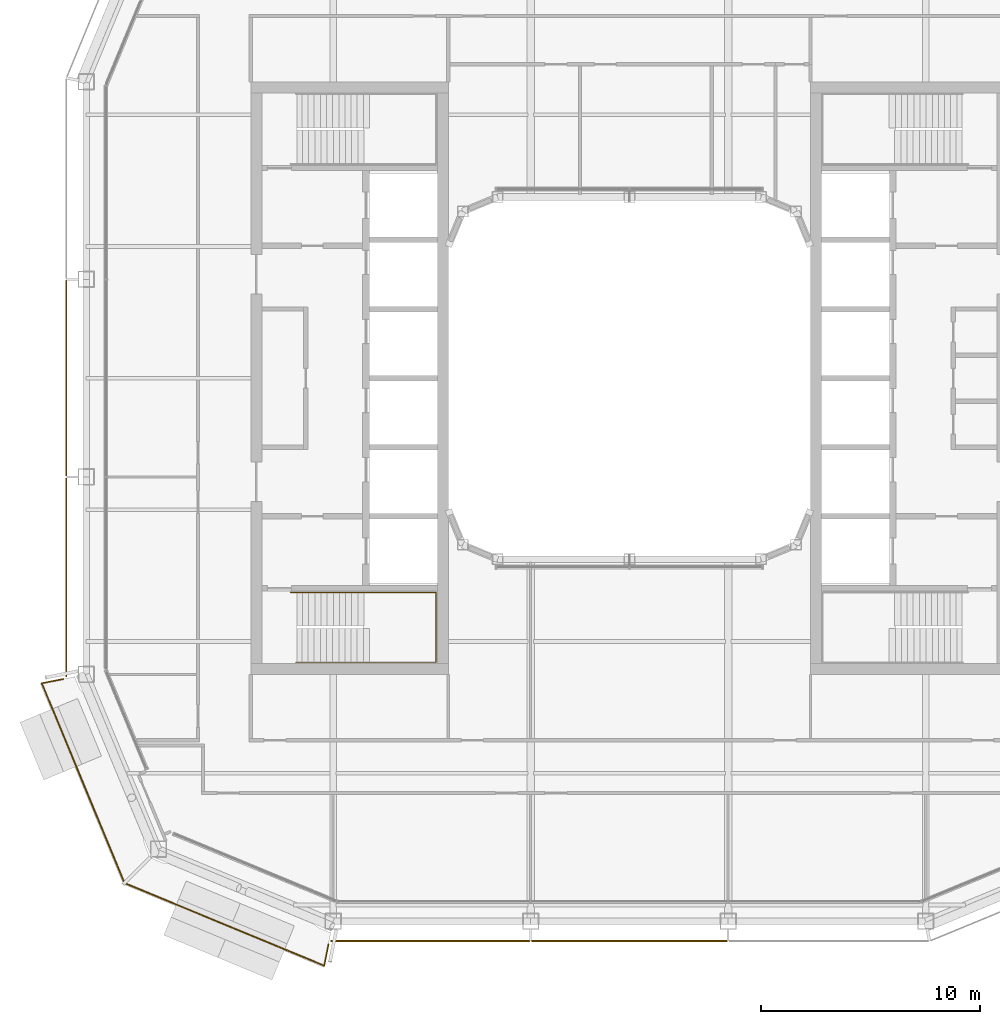
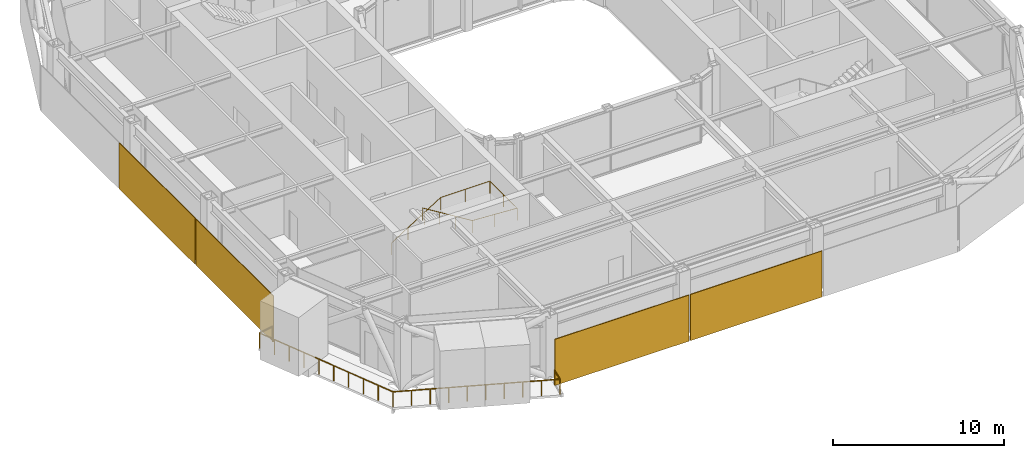
# One storey, part 16 of 20: 4 coverings, 2 railings.
"""IFC4 building model written with IfcOpenShell, lengths in metres."""

from ifc_helpers import new_model, si_unit, direction, frame, origin, origin_2d, place, context, subcontext, project, spatial, rectangle, circle, extrude, material, layer, layer_set, type_object, element, save


model = new_model("IFC4")

# Units and contexts
model_context = context("Model", 3, precision=1e-05, world=origin(), true_north=direction((0.0, 1.0)))
body_context = subcontext(model_context, "Body", "Model", "MODEL_VIEW")
ifc_project = project(units=[si_unit("LENGTHUNIT", "METRE"), si_unit("AREAUNIT", "SQUARE_METRE"), si_unit("VOLUMEUNIT", "CUBIC_METRE"), si_unit("PLANEANGLEUNIT", "RADIAN"), si_unit("MASSUNIT", "GRAM", prefix="KILO")], contexts=[model_context])

# Site, building, storey
site_placement = place(None, origin())
site = spatial("IfcSite", under=ifc_project, at=site_placement, CompositionType="ELEMENT")
building_placement = place(site_placement, origin())
building = spatial("IfcBuilding", under=site, at=building_placement, Name="Siwar Civic Tower", CompositionType="ELEMENT")
storey_placement = place(building_placement, frame((0.0, 0.0, 316.699951171875)))
storey = spatial("IfcBuildingStorey", under=building, at=storey_placement, Name="L68", CompositionType="ELEMENT", Elevation=316.699951171875)

# Railings
ifc_material_1 = material(Name="Stainless steel", Category="steel")
railing_type_1 = type_object("IfcRailingType", Name="CORE-STAIR-HANDRAIL", PredefinedType="HANDRAIL", material=ifc_material_1)
railing_1_placement = place(storey_placement, frame((-15.449951171875, -9.758056640625, 0.173095703125)))
element("IfcRailing", 1, at=railing_1_placement, inside=storey, type_object=railing_type_1, Name="Stair handrail ST2", PredefinedType="HANDRAIL", context=body_context, shape_type="SweptSolid", body=[
    extrude(circle(Radius=0.02001953125, at=origin_2d()), frame((0.0, 0.0, 0.8798828125), z_axis=(0.847063342986, 0.0, 0.531491950051), x_axis=(0.0, 1.0, 0.0)), (0.0, 0.0, 1.0), 3.90771484375),
    extrude(circle(Radius=0.02001953125, at=origin_2d()), frame((3.31005859375, 0.0, 2.956787109375), z_axis=(1.0, 0.0, 0.0), x_axis=(0.0, 1.0, 0.0)), (0.0, 0.0, 1.0), 3.331787109375),
    extrude(circle(Radius=0.02001953125, at=origin_2d()), frame((6.641845703125, 0.0, 2.956787109375), z_axis=(0.0, -1.0, 0.0), x_axis=(1.0, 0.0, 0.0)), (0.0, 0.0, 1.0), 3.183837890625),
    extrude(circle(Radius=0.02001953125, at=origin_2d()), frame((6.641845703125, -3.183837890625, 2.956787109375), z_axis=(-0.99837434197, 0.0, 0.056997134106), x_axis=(0.0, -1.0, 0.0)), (0.0, 0.0, 1.0), 3.036865234375),
    extrude(circle(Radius=0.02001953125, at=origin_2d()), frame((3.60986328125, -3.183837890625, 3.1298828125), z_axis=(-0.850606129759, 0.0, 0.525803396734), x_axis=(0.0, -1.0, 0.0)), (0.0, 0.0, 1.0), 3.949951171875),
    extrude(circle(Radius=0.02001953125, at=origin_2d()), origin(), (0.0, 0.0, 1.0), 0.85986328125),
    extrude(circle(Radius=0.02001953125, at=origin_2d()), frame((1.103271484375, 0.0, 0.6923828125)), (0.0, 0.0, 1.0), 0.85986328125),
    extrude(circle(Radius=0.02001953125, at=origin_2d()), frame((2.206787109375, 0.0, 1.384521484375)), (0.0, 0.0, 1.0), 0.85986328125),
    extrude(circle(Radius=0.02001953125, at=origin_2d()), frame((3.31005859375, 0.0, 2.076904296875)), (0.0, 0.0, 1.0), 0.85986328125),
    extrude(circle(Radius=0.02001953125, at=origin_2d()), frame((4.97607421875, 0.0, 2.076904296875)), (0.0, 0.0, 1.0), 0.85986328125),
    extrude(circle(Radius=0.02001953125, at=origin_2d()), frame((6.641845703125, 0.0, 2.076904296875)), (0.0, 0.0, 1.0), 0.85986328125),
    extrude(circle(Radius=0.02001953125, at=origin_2d()), frame((6.641845703125, -1.591796875, 2.076904296875)), (0.0, 0.0, 1.0), 0.85986328125),
    extrude(circle(Radius=0.02001953125, at=origin_2d()), frame((6.641845703125, -3.183837890625, 2.076904296875)), (0.0, 0.0, 1.0), 0.85986328125),
    extrude(circle(Radius=0.02001953125, at=origin_2d()), frame((5.1259765625, -3.183837890625, 2.16357421875)), (0.0, 0.0, 1.0), 0.85986328125),
    extrude(circle(Radius=0.02001953125, at=origin_2d()), frame((3.60986328125, -3.183837890625, 2.25)), (0.0, 0.0, 1.0), 0.85986328125),
    extrude(circle(Radius=0.02001953125, at=origin_2d()), frame((2.489990234375, -3.183837890625, 2.9423828125)), (0.0, 0.0, 1.0), 0.85986328125),
    extrude(circle(Radius=0.02001953125, at=origin_2d()), frame((1.369873046875, -3.183837890625, 3.634521484375)), (0.0, 0.0, 1.0), 0.85986328125),
    extrude(circle(Radius=0.02001953125, at=origin_2d()), frame((0.25, -3.183837890625, 4.326904296875)), (0.0, 0.0, 1.0), 0.85986328125),
])
ifc_material_2 = material(Name="Stainless steel 316", Category="steel")
railing_type_2 = type_object("IfcRailingType", Name="ENV-GUARD", PredefinedType="GUARDRAIL", material=ifc_material_2)
railing_2_placement = place(storey_placement, frame((-25.797119140625, -13.708251953125, 0.0)))
element("IfcRailing", 2, at=railing_2_placement, inside=storey, type_object=railing_type_2, Name="Balcony guard SW", PredefinedType="GUARDRAIL", context=body_context, shape_type="SweptSolid", body=[
    extrude(circle(Radius=0.02392578125, at=origin_2d()), frame((0.0, 0.0, 1.076171875), z_axis=(-0.980778661911, -0.195123592472, 0.0), x_axis=(0.195123592472, -0.980778661911, 0.0)), (0.0, 0.0, 1.0), 0.993408203125),
    extrude(circle(Radius=0.02392578125, at=origin_2d()), frame((-0.974365234375, -0.19384765625, 1.076171875), z_axis=(0.38225621169, -0.924056377406, 0.0), x_axis=(0.924056377406, 0.38225621169, 0.0)), (0.0, 0.0, 1.0), 9.851806640625),
    extrude(circle(Radius=0.02392578125, at=origin_2d()), frame((2.79150390625, -9.29736328125, 1.076171875), z_axis=(0.924056377406, -0.38225621169, 0.0), x_axis=(0.38225621169, 0.924056377406, 0.0)), (0.0, 0.0, 1.0), 9.851806640625),
    extrude(circle(Radius=0.02392578125, at=origin_2d()), frame((11.89501953125, -13.063232421875, 1.076171875), z_axis=(0.195123592472, 0.980778661911, 0.0), x_axis=(-0.980778661911, 0.195123592472, 0.0)), (0.0, 0.0, 1.0), 0.993408203125),
    extrude(circle(Radius=0.02099609375, at=origin_2d()), origin(), (0.0, 0.0, 1.0), 1.052001953125),
    extrude(circle(Radius=0.02099609375, at=origin_2d()), frame((-0.974365234375, -0.19384765625, 0.0)), (0.0, 0.0, 1.0), 1.052001953125),
    extrude(circle(Radius=0.02099609375, at=origin_2d()), frame((-0.555908203125, -1.205322265625, 0.0)), (0.0, 0.0, 1.0), 1.052001953125),
    extrude(circle(Radius=0.02099609375, at=origin_2d()), frame((-0.137451171875, -2.216796875, 0.0)), (0.0, 0.0, 1.0), 1.052001953125),
    extrude(circle(Radius=0.02099609375, at=origin_2d()), frame((0.281005859375, -3.228271484375, 0.0)), (0.0, 0.0, 1.0), 1.052001953125),
    extrude(circle(Radius=0.02099609375, at=origin_2d()), frame((0.699462890625, -4.23974609375, 0.0)), (0.0, 0.0, 1.0), 1.052001953125),
    extrude(circle(Radius=0.02099609375, at=origin_2d()), frame((1.11767578125, -5.25146484375, 0.0)), (0.0, 0.0, 1.0), 1.052001953125),
    extrude(circle(Radius=0.02099609375, at=origin_2d()), frame((1.5361328125, -6.262939453125, 0.0)), (0.0, 0.0, 1.0), 1.052001953125),
    extrude(circle(Radius=0.02099609375, at=origin_2d()), frame((1.95458984375, -7.2744140625, 0.0)), (0.0, 0.0, 1.0), 1.052001953125),
    extrude(circle(Radius=0.02099609375, at=origin_2d()), frame((2.373046875, -8.285888671875, 0.0)), (0.0, 0.0, 1.0), 1.052001953125),
    extrude(circle(Radius=0.02099609375, at=origin_2d()), frame((2.79150390625, -9.29736328125, 0.0)), (0.0, 0.0, 1.0), 1.052001953125),
    extrude(circle(Radius=0.02099609375, at=origin_2d()), frame((3.802978515625, -9.7158203125, 0.0)), (0.0, 0.0, 1.0), 1.052001953125),
    extrude(circle(Radius=0.02099609375, at=origin_2d()), frame((4.814453125, -10.13427734375, 0.0)), (0.0, 0.0, 1.0), 1.052001953125),
    extrude(circle(Radius=0.02099609375, at=origin_2d()), frame((5.825927734375, -10.552734375, 0.0)), (0.0, 0.0, 1.0), 1.052001953125),
    extrude(circle(Radius=0.02099609375, at=origin_2d()), frame((6.83740234375, -10.97119140625, 0.0)), (0.0, 0.0, 1.0), 1.052001953125),
    extrude(circle(Radius=0.02099609375, at=origin_2d()), frame((7.84912109375, -11.389404296875, 0.0)), (0.0, 0.0, 1.0), 1.052001953125),
    extrude(circle(Radius=0.02099609375, at=origin_2d()), frame((8.860595703125, -11.807861328125, 0.0)), (0.0, 0.0, 1.0), 1.052001953125),
    extrude(circle(Radius=0.02099609375, at=origin_2d()), frame((9.8720703125, -12.226318359375, 0.0)), (0.0, 0.0, 1.0), 1.052001953125),
    extrude(circle(Radius=0.02099609375, at=origin_2d()), frame((10.883544921875, -12.644775390625, 0.0)), (0.0, 0.0, 1.0), 1.052001953125),
    extrude(circle(Radius=0.02099609375, at=origin_2d()), frame((11.89501953125, -13.063232421875, 0.0)), (0.0, 0.0, 1.0), 1.052001953125),
    extrude(circle(Radius=0.02099609375, at=origin_2d()), frame((12.0888671875, -12.0888671875, 0.0)), (0.0, 0.0, 1.0), 1.052001953125),
])

# Coverings
ifc_material_3 = material(Name="Perforated aluminium cassette, pale metal", Category="aluminium")
ifc_layer_1 = layer(ifc_material_3, 0.050048828125)
ifc_layer_set_1 = layer_set([ifc_layer_1], Name="Perforated aluminium cassette, pale metal")
covering_type_1 = type_object("IfcCoveringType", Name="ENV-OUTER SKIN OS-3", PredefinedType="CLADDING", material=ifc_layer_set_1)
covering_1_placement = place(storey_placement, frame((-25.64990234375, 0.0, -0.14990234375), z_axis=(0.0, 0.0, 1.0), x_axis=(0.0, -1.0, 0.0)))
element("IfcCovering", 3, at=covering_1_placement, inside=storey, type_object=covering_type_1, Name="OUTER SKIN OS-3 W 2", PredefinedType="CLADDING", context=body_context, shape_type="SweptSolid", body=[
    extrude(rectangle(XDim=8.89990234375, YDim=0.050048828125, at=origin_2d()), origin(), (0.0, 0.0, 1.0), 3.300048828125),
])
covering_2_placement = place(storey_placement, frame((-25.64990234375, -9.07958984375, -0.14990234375), z_axis=(0.0, 0.0, 1.0), x_axis=(0.0, -1.0, 0.0)))
element("IfcCovering", 4, at=covering_2_placement, inside=storey, type_object=covering_type_1, Name="OUTER SKIN OS-3 W 3", PredefinedType="CLADDING", context=body_context, shape_type="SweptSolid", body=[
    extrude(rectangle(XDim=9.05908203125, YDim=0.050048828125, at=origin_2d()), origin(), (0.0, 0.0, 1.0), 3.300048828125),
])
ifc_material_4 = material(Name="Perforated aluminium cassette, pale metal", Category="aluminium")
ifc_layer_2 = layer(ifc_material_4, 0.054931640625)
ifc_layer_set_2 = layer_set([ifc_layer_2], Name="Perforated aluminium cassette, pale metal")
covering_type_2 = type_object("IfcCoveringType", Name="ENV-OUTER SKIN OS-4", PredefinedType="CLADDING", material=ifc_layer_set_2)
covering_3_placement = place(storey_placement, frame((-9.07958984375, -25.64990234375, -0.14990234375), z_axis=(0.0, 0.0, 1.0), x_axis=(1.0, 0.0, 0.0)))
element("IfcCovering", 5, at=covering_3_placement, inside=storey, type_object=covering_type_2, Name="OUTER SKIN OS-4 S 1", PredefinedType="CLADDING", context=body_context, shape_type="SweptSolid", body=[
    extrude(rectangle(XDim=9.05908203125, YDim=0.054931640625, at=origin_2d()), origin(), (0.0, 0.0, 1.0), 3.300048828125),
])
covering_4_placement = place(storey_placement, frame((0.0, -25.64990234375, -0.14990234375), z_axis=(0.0, 0.0, 1.0), x_axis=(1.0, 0.0, 0.0)))
element("IfcCovering", 6, at=covering_4_placement, inside=storey, type_object=covering_type_2, Name="OUTER SKIN OS-4 S 2", PredefinedType="CLADDING", context=body_context, shape_type="SweptSolid", body=[
    extrude(rectangle(XDim=8.89990234375, YDim=0.054931640625, at=origin_2d()), origin(), (0.0, 0.0, 1.0), 3.300048828125),
])

save(model, "model.ifc")
